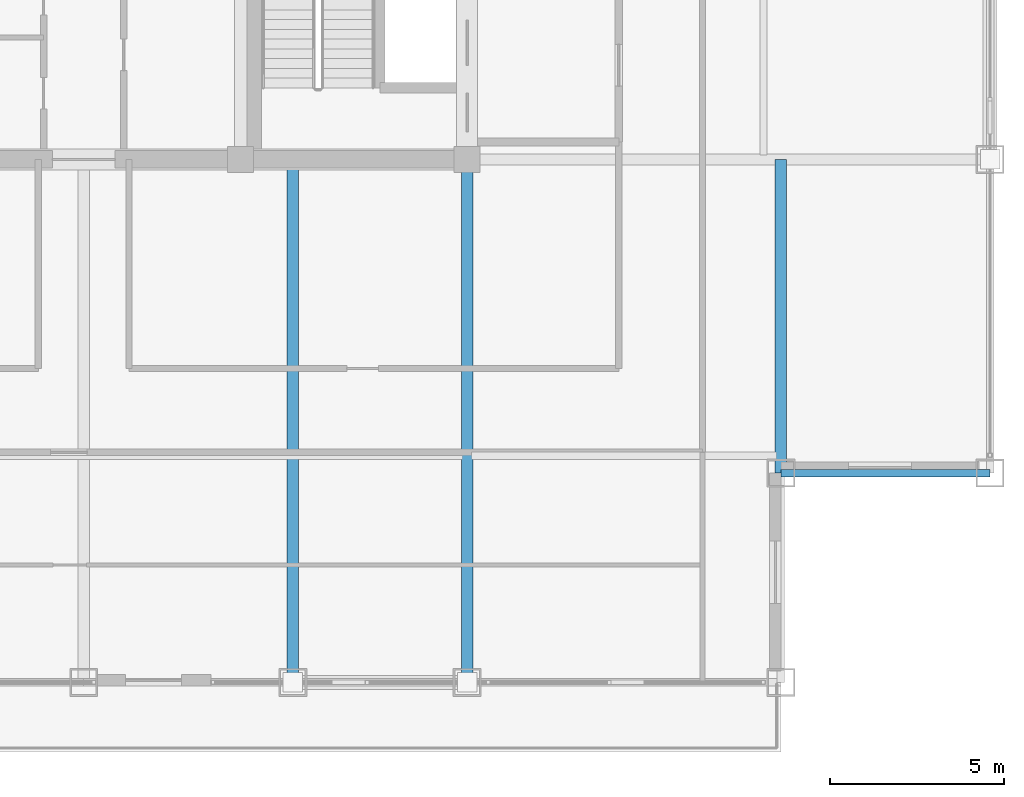
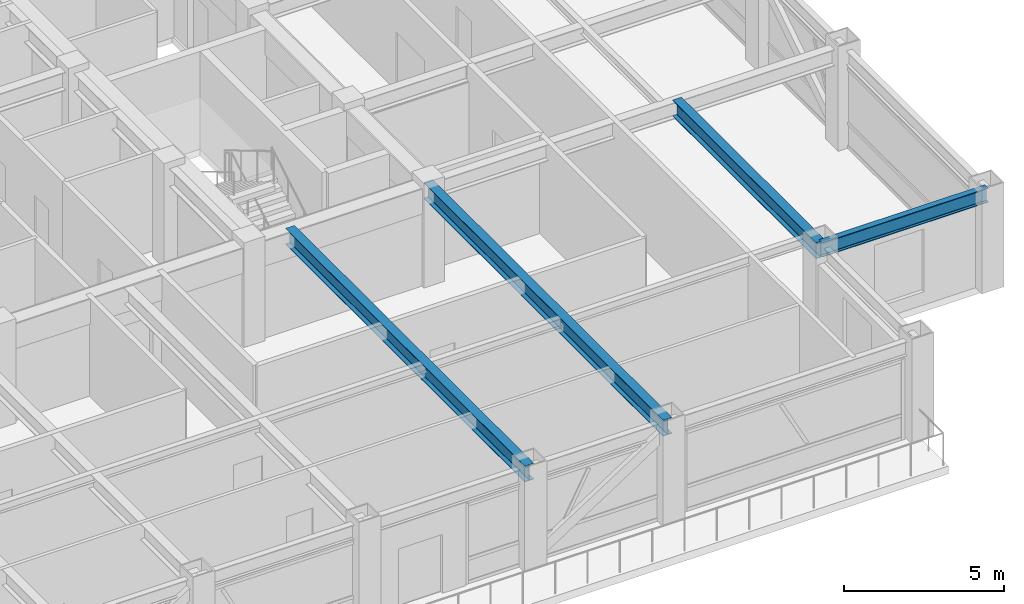
# One storey, part 10 of 30: 4 beams.
"""IFC4 building model written with IfcOpenShell, lengths in metres."""

from ifc_helpers import new_model, si_unit, direction, frame, origin, origin_2d, place, context, subcontext, project, spatial, i_section, extrude, source, transform, mapped, material, material_profile, profile_set, type_object, element, save


model = new_model("IFC4")

# Units and contexts
model_context = context("Model", 3, precision=1e-05, world=origin(), true_north=direction((0.0, 1.0)))
body_context = subcontext(model_context, "Body", "Model", "MODEL_VIEW")
ifc_project = project(units=[si_unit("LENGTHUNIT", "METRE"), si_unit("AREAUNIT", "SQUARE_METRE"), si_unit("VOLUMEUNIT", "CUBIC_METRE"), si_unit("PLANEANGLEUNIT", "RADIAN"), si_unit("MASSUNIT", "GRAM", prefix="KILO")], contexts=[model_context])

# Site, building, storey
site_placement = place(None, origin())
site = spatial("IfcSite", under=ifc_project, at=site_placement, CompositionType="ELEMENT")
building_placement = place(site_placement, origin())
building = spatial("IfcBuilding", under=site, at=building_placement, Name="Khorayat Bourse Tower", CompositionType="ELEMENT")
storey_placement = place(building_placement, frame((0.0, 0.0, 326.300048828125)))
storey = spatial("IfcBuildingStorey", under=building, at=storey_placement, Name="L77", CompositionType="ELEMENT", Elevation=326.300048828125)

# Beams
ifc_material = material(Name="Steel ASTM A992 Grade 50", Category="steel")
ifc_material_profile_1 = material_profile(ifc_material, i_section(OverallWidth=0.214111328125, OverallDepth=0.549072265625, WebThickness=0.0146484375, FlangeThickness=0.023681640625, FilletRadius=0.013916015625, at=origin_2d()), Name="W530X138")
ifc_profile_set_1 = profile_set([ifc_material_profile_1], Name="Steel ASTM A992 Grade 50")
beam_type_1 = type_object("IfcBeamType", Name="BM-SPAN-530", PredefinedType="SPANDREL", material=ifc_profile_set_1)
shared_shape_1 = source(origin(), body_context, "Body", "SweptSolid", [
    extrude(i_section(OverallWidth=0.214111328125, OverallDepth=0.549072265625, WebThickness=0.0146484375, FlangeThickness=0.023681640625, FilletRadius=0.013916015625, at=origin_2d()), origin(), (0.0, 0.0, 1.0), 6.0),
])
beam_1_placement = place(storey_placement, frame((20.0, -20.0, 3.46533203125), z_axis=(1.0, 0.0, 0.0), x_axis=(0.0, 1.0, 0.0)))
element("IfcBeam", 1, at=beam_1_placement, inside=storey, type_object=beam_type_1, Name="L77 BM-SPAN-530 BM-L77-SPN-031", PredefinedType="SPANDREL", context=body_context, shape_type="MappedRepresentation", body=[
    mapped(shared_shape_1, transform((0.0, 0.0, 0.0), scale=1.0)),
])
ifc_material_profile_2 = material_profile(ifc_material, i_section(OverallWidth=0.324951171875, OverallDepth=0.615966796875, WebThickness=0.013916015625, FlangeThickness=0.021484375, FilletRadius=0.01611328125, at=origin_2d()), Name="W610X174")
ifc_profile_set_2 = profile_set([ifc_material_profile_2], Name="Steel ASTM A992 Grade 50")
beam_type_2 = type_object("IfcBeamType", Name="BM-GIRD-610", PredefinedType="BEAM", material=ifc_profile_set_2)
shared_shape_2 = source(origin(), body_context, "Body", "SweptSolid", [
    extrude(i_section(OverallWidth=0.324951171875, OverallDepth=0.615966796875, WebThickness=0.013916015625, FlangeThickness=0.021484375, FilletRadius=0.01611328125, at=origin_2d()), origin(), (0.0, 0.0, 1.0), 15.0),
])
for number, where, z_axis, x_axis, name in (
    (2, (6.0, -26.0, 3.431884765625), (0.0, 1.0, 0.0), (-1.0, 0.0, 0.0), "L77 BM-GIRD-610 BM-L77-RADY-063"),
    (3, (11.0, -26.0, 3.431884765625), (0.0, 1.0, 0.0), (-1.0, 0.0, 0.0), "L77 BM-GIRD-610 BM-L77-RADY-065"),
):
    element("IfcBeam", number, at=place(storey_placement, frame(where, z_axis=z_axis, x_axis=x_axis)), inside=storey, type_object=beam_type_2, Name=name, PredefinedType="BEAM", context=body_context, shape_type="MappedRepresentation", body=[
        mapped(shared_shape_2, transform((0.0, 0.0, 0.0), scale=1.0)),
    ])
shared_shape_3 = source(origin(), body_context, "Body", "SweptSolid", [
    extrude(i_section(OverallWidth=0.324951171875, OverallDepth=0.615966796875, WebThickness=0.013916015625, FlangeThickness=0.021484375, FilletRadius=0.01611328125, at=origin_2d()), origin(), (0.0, 0.0, 1.0), 9.0),
])
beam_2_placement = place(storey_placement, frame((20.0, -20.0, 3.431884765625), z_axis=(0.0, 1.0, 0.0), x_axis=(-1.0, 0.0, 0.0)))
element("IfcBeam", 4, at=beam_2_placement, inside=storey, type_object=beam_type_2, Name="L77 BM-GIRD-610 BM-L77-CNRY-078", PredefinedType="BEAM", context=body_context, shape_type="MappedRepresentation", body=[
    mapped(shared_shape_3, transform((0.0, 0.0, 0.0), scale=1.0)),
])

save(model, "model.ifc")
